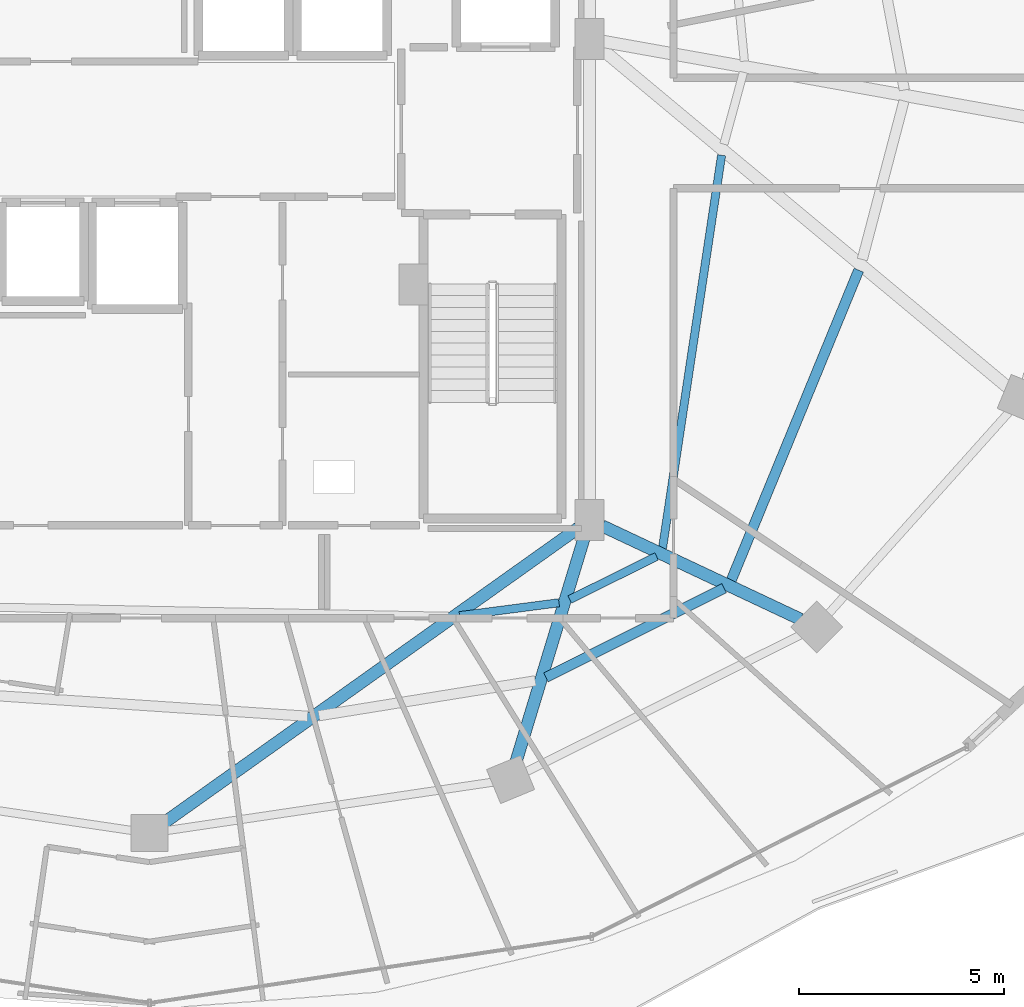
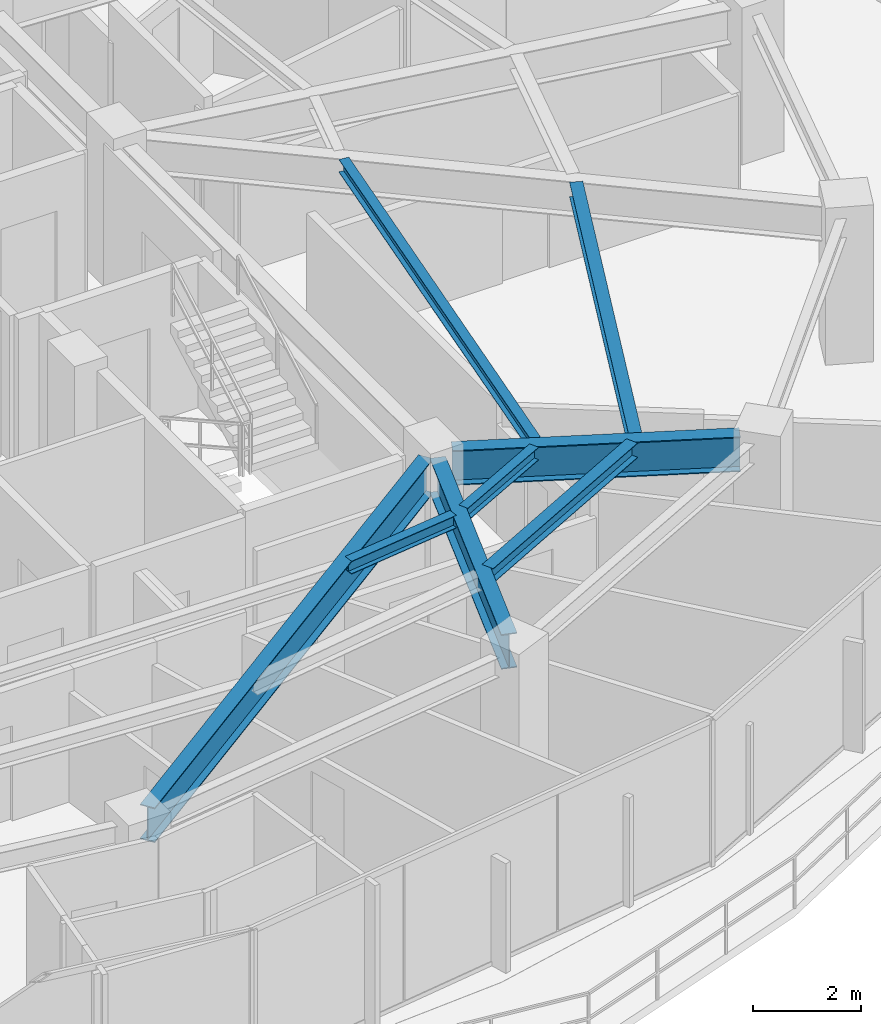
# One storey, part 12 of 34: 8 beams.
"""IFC4 building model written with IfcOpenShell, lengths in metres."""

from ifc_helpers import new_model, si_unit, direction, frame, origin, origin_2d, place, context, subcontext, project, spatial, i_section, extrude, material, material_profile, profile_set, type_object, element, save


model = new_model("IFC4")

# Units and contexts
model_context = context("Model", 3, precision=1e-05, world=origin(), true_north=direction((0.0, 1.0)))
body_context = subcontext(model_context, "Body", "Model", "MODEL_VIEW")
ifc_project = project(units=[si_unit("LENGTHUNIT", "METRE"), si_unit("AREAUNIT", "SQUARE_METRE"), si_unit("VOLUMEUNIT", "CUBIC_METRE"), si_unit("PLANEANGLEUNIT", "RADIAN"), si_unit("MASSUNIT", "GRAM", prefix="KILO")], contexts=[model_context])

# Site, building, storey
site_placement = place(None, origin())
site = spatial("IfcSite", under=ifc_project, at=site_placement, CompositionType="ELEMENT")
building_placement = place(site_placement, origin())
building = spatial("IfcBuilding", under=site, at=building_placement, Name="Vorneva Point Tower", CompositionType="ELEMENT")
storey_placement = place(building_placement, frame((0.0, 0.0, 210.75)))
storey = spatial("IfcBuildingStorey", under=building, at=storey_placement, Name="L57", CompositionType="ELEMENT", Elevation=210.75)

# Beams
ifc_material = material(Name="Steel S355", Category="steel")
ifc_material_profile_1 = material_profile(ifc_material, i_section(OverallWidth=0.300048828125, OverallDepth=0.7880859375, WebThickness=0.014404296875, FlangeThickness=0.02197265625, at=origin_2d()), Name="80Sh1")
ifc_profile_set_1 = profile_set([ifc_material_profile_1], Name="Steel S355")
beam_type_1 = type_object("IfcBeamType", Name="BM-GRD-80Sh1", PredefinedType="USERDEFINED", material=ifc_profile_set_1)
beam_1_placement = place(storey_placement, frame((38.35693359375, 9.053955078125, 2.89599609375), z_axis=(0.814749933852, 0.579812508737, 0.0), x_axis=(-0.579812508737, 0.814749933852, 0.0)))
element("IfcBeam", 1, at=beam_1_placement, inside=storey, type_object=beam_type_1, Name="L57 Radial Primary Girder 13", ObjectType="GIRDER", PredefinedType="USERDEFINED", context=body_context, shape_type="SweptSolid", body=[
    extrude(i_section(OverallWidth=0.300048828125, OverallDepth=0.7880859375, WebThickness=0.014404296875, FlangeThickness=0.02197265625, at=origin_2d()), origin(), (0.0, 0.0, 1.0), 12.416015625),
])
beam_2_placement = place(storey_placement, frame((46.948486328125, 10.5283203125, 2.89599609375), z_axis=(0.291025429135, 0.956715317948, 0.0), x_axis=(-0.956715317948, 0.291025429135, 0.0)))
element("IfcBeam", 2, at=beam_2_placement, inside=storey, type_object=beam_type_1, Name="L57 Radial Primary Girder 14", ObjectType="GIRDER", PredefinedType="USERDEFINED", context=body_context, shape_type="SweptSolid", body=[
    extrude(i_section(OverallWidth=0.300048828125, OverallDepth=0.7880859375, WebThickness=0.014404296875, FlangeThickness=0.02197265625, at=origin_2d()), origin(), (0.0, 0.0, 1.0), 5.849609375),
])
beam_3_placement = place(storey_placement, frame((53.902587890625, 14.0244140625, 2.89599609375), z_axis=(-0.904762899762, 0.42591559635, 0.0), x_axis=(-0.42591559635, -0.904762899762, 0.0)))
element("IfcBeam", 3, at=beam_3_placement, inside=storey, type_object=beam_type_1, Name="L57 Radial Primary Girder 15", ObjectType="GIRDER", PredefinedType="USERDEFINED", context=body_context, shape_type="SweptSolid", body=[
    extrude(i_section(OverallWidth=0.300048828125, OverallDepth=0.7880859375, WebThickness=0.014404296875, FlangeThickness=0.02197265625, at=origin_2d()), origin(), (0.0, 0.0, 1.0), 5.35498046875),
])
ifc_material_profile_2 = material_profile(ifc_material, i_section(OverallWidth=0.199951171875, OverallDepth=0.291015625, WebThickness=0.008056640625, FlangeThickness=0.010986328125, at=origin_2d()), Name="30Sh1")
ifc_profile_set_2 = profile_set([ifc_material_profile_2], Name="Steel S355")
beam_type_2 = type_object("IfcBeamType", Name="BM-SEC-30Sh1", PredefinedType="BEAM", material=ifc_profile_set_2)
beam_4_placement = place(storey_placement, frame((45.574951171875, 14.111083984375, 3.14453125), z_axis=(0.991593183209, 0.129394586489, 0.0), x_axis=(-0.129394586489, 0.991593183209, 0.0)))
element("IfcBeam", 4, at=beam_4_placement, inside=storey, type_object=beam_type_2, Name="L57 Secondary Floor Beam 2.13", PredefinedType="BEAM", context=body_context, shape_type="SweptSolid", body=[
    extrude(i_section(OverallWidth=0.199951171875, OverallDepth=0.291015625, WebThickness=0.008056640625, FlangeThickness=0.010986328125, at=origin_2d()), origin(), (0.0, 0.0, 1.0), 2.448974609375),
])
beam_5_placement = place(storey_placement, frame((48.263916015625, 14.507080078125, 3.14453125), z_axis=(0.895946483514, 0.4441620185, 0.0), x_axis=(-0.4441620185, 0.895946483514, 0.0)))
element("IfcBeam", 5, at=beam_5_placement, inside=storey, type_object=beam_type_2, Name="L57 Secondary Floor Beam 2.14", PredefinedType="BEAM", context=body_context, shape_type="SweptSolid", body=[
    extrude(i_section(OverallWidth=0.199951171875, OverallDepth=0.291015625, WebThickness=0.008056640625, FlangeThickness=0.010986328125, at=origin_2d()), origin(), (0.0, 0.0, 1.0), 2.3701171875),
])
beam_6_placement = place(storey_placement, frame((50.531494140625, 15.75732421875, 3.14453125), z_axis=(0.14865392948, 0.988889280582, 0.0), x_axis=(-0.988889280582, 0.14865392948, 0.0)))
element("IfcBeam", 6, at=beam_6_placement, inside=storey, type_object=beam_type_2, Name="L57 Secondary Floor Beam 2.15", PredefinedType="BEAM", context=body_context, shape_type="SweptSolid", body=[
    extrude(i_section(OverallWidth=0.199951171875, OverallDepth=0.291015625, WebThickness=0.008056640625, FlangeThickness=0.010986328125, at=origin_2d()), origin(), (0.0, 0.0, 1.0), 9.711181640625),
])
ifc_material_profile_3 = material_profile(ifc_material, i_section(OverallWidth=0.2490234375, OverallDepth=0.333984375, WebThickness=0.008056640625, FlangeThickness=0.010986328125, at=origin_2d()), Name="35Sh1")
ifc_profile_set_3 = profile_set([ifc_material_profile_3], Name="Steel S355")
beam_type_3 = type_object("IfcBeamType", Name="BM-SEC-35Sh1", PredefinedType="BEAM", material=ifc_profile_set_3)
beam_7_placement = place(storey_placement, frame((47.684814453125, 12.604736328125, 3.123046875), z_axis=(0.89410580889, 0.44785578316, 0.0), x_axis=(-0.44785578316, 0.89410580889, 0.0)))
element("IfcBeam", 7, at=beam_7_placement, inside=storey, type_object=beam_type_3, Name="L57 Secondary Floor Beam 1.14", PredefinedType="BEAM", context=body_context, shape_type="SweptSolid", body=[
    extrude(i_section(OverallWidth=0.2490234375, OverallDepth=0.333984375, WebThickness=0.008056640625, FlangeThickness=0.010986328125, at=origin_2d()), origin(), (0.0, 0.0, 1.0), 4.865234375),
])
beam_8_placement = place(storey_placement, frame((52.210693359375, 14.97314453125, 3.123046875), z_axis=(0.380070895396, 0.924957358192, 0.0), x_axis=(-0.924957358192, 0.380070895396, 0.0)))
element("IfcBeam", 8, at=beam_8_placement, inside=storey, type_object=beam_type_3, Name="L57 Secondary Floor Beam 1.15", PredefinedType="BEAM", context=body_context, shape_type="SweptSolid", body=[
    extrude(i_section(OverallWidth=0.2490234375, OverallDepth=0.333984375, WebThickness=0.008056640625, FlangeThickness=0.010986328125, at=origin_2d()), origin(), (0.0, 0.0, 1.0), 8.194580078125),
])

save(model, "model.ifc")
